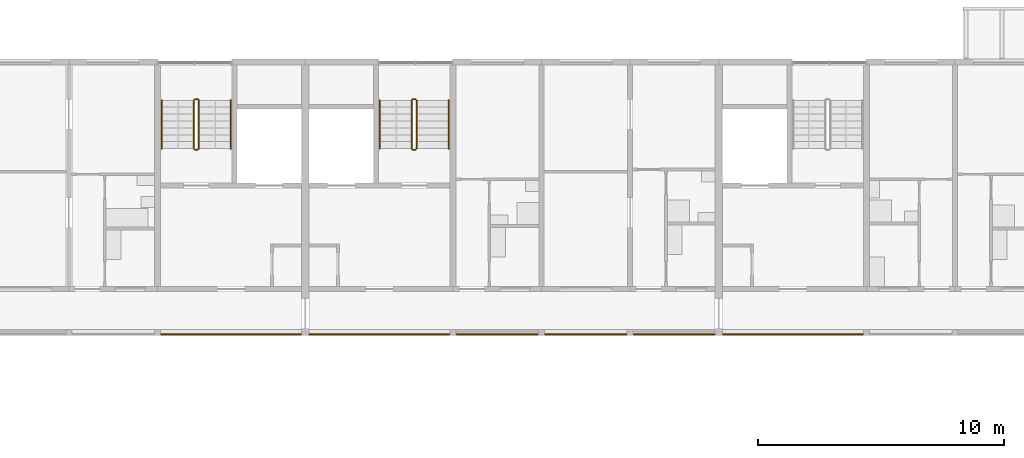
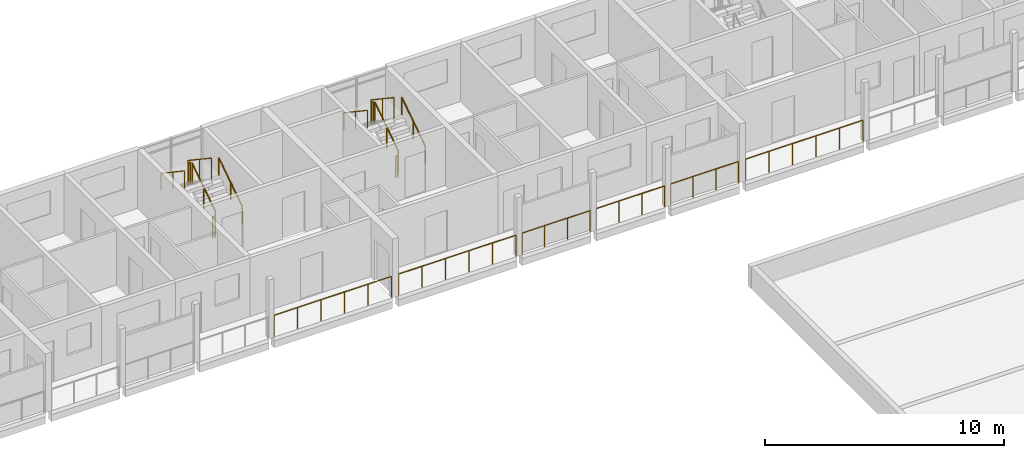
# One storey, part 101 of 115: 18 railings.
"""IFC4 building model written with IfcOpenShell, lengths in metres."""

from ifc_helpers import new_model, si_unit, direction, frame, origin, origin_2d, place, context, subcontext, project, spatial, circle, extrude, material, type_object, element, save


model = new_model("IFC4")

# Units and contexts
model_context = context("Model", 3, precision=1e-05, world=origin(), true_north=direction((0.0, 1.0)))
body_context = subcontext(model_context, "Body", "Model", "MODEL_VIEW")
ifc_project = project(units=[si_unit("LENGTHUNIT", "METRE"), si_unit("AREAUNIT", "SQUARE_METRE"), si_unit("VOLUMEUNIT", "CUBIC_METRE"), si_unit("PLANEANGLEUNIT", "RADIAN"), si_unit("MASSUNIT", "GRAM", prefix="KILO")], contexts=[model_context])

# Site, building, storey
site_placement = place(None, origin())
site = spatial("IfcSite", under=ifc_project, at=site_placement, CompositionType="ELEMENT")
building_placement = place(site_placement, origin())
building = spatial("IfcBuilding", under=site, at=building_placement, Name="Ridgestep Commons", CompositionType="ELEMENT")
storey_placement = place(building_placement, frame((0.0, 0.0, 6.0)))
storey = spatial("IfcBuildingStorey", under=building, at=storey_placement, Name="L02", CompositionType="ELEMENT", Elevation=6.0)

# Railings
ifc_material_1 = material(Name="Structural steel S355JR", Category="steel")
railing_type_1 = type_object("IfcRailingType", Name="Guard 1100", PredefinedType="GUARDRAIL", material=ifc_material_1)
railing_1_placement = place(storey_placement, frame((73.345947265625, 66.050048828125, 0.0)))
element("IfcRailing", 1, at=railing_1_placement, inside=storey, type_object=railing_type_1, Name="Gallery guard B 02.16", PredefinedType="GUARDRAIL", context=body_context, shape_type="SweptSolid", body=[
    extrude(circle(Radius=0.02392578125, at=origin_2d()), frame((0.0, 0.0, 1.076171875), z_axis=(1.0, 0.0, 0.0), x_axis=(0.0, 1.0, 0.0)), (0.0, 0.0, 1.0), 5.68310546875),
    extrude(circle(Radius=0.02099609375, at=origin_2d()), origin(), (0.0, 0.0, 1.0), 1.052001953125),
    extrude(circle(Radius=0.02099609375, at=origin_2d()), frame((1.13671875, 0.0, 0.0)), (0.0, 0.0, 1.0), 1.052001953125),
    extrude(circle(Radius=0.02099609375, at=origin_2d()), frame((2.273193359375, 0.0, 0.0)), (0.0, 0.0, 1.0), 1.052001953125),
    extrude(circle(Radius=0.02099609375, at=origin_2d()), frame((3.409912109375, 0.0, 0.0)), (0.0, 0.0, 1.0), 1.052001953125),
    extrude(circle(Radius=0.02099609375, at=origin_2d()), frame((4.54638671875, 0.0, 0.0)), (0.0, 0.0, 1.0), 1.052001953125),
    extrude(circle(Radius=0.02099609375, at=origin_2d()), frame((5.68310546875, 0.0, 0.0)), (0.0, 0.0, 1.0), 1.052001953125),
])
railing_2_placement = place(storey_placement, frame((79.37109375, 66.050048828125, 0.0)))
element("IfcRailing", 2, at=railing_2_placement, inside=storey, type_object=railing_type_1, Name="Gallery guard B 02.17", PredefinedType="GUARDRAIL", context=body_context, shape_type="SweptSolid", body=[
    extrude(circle(Radius=0.02392578125, at=origin_2d()), frame((0.0, 0.0, 1.076171875), z_axis=(1.0, 0.0, 0.0), x_axis=(0.0, 1.0, 0.0)), (0.0, 0.0, 1.0), 5.682861328125),
    extrude(circle(Radius=0.02099609375, at=origin_2d()), origin(), (0.0, 0.0, 1.0), 1.052001953125),
    extrude(circle(Radius=0.02099609375, at=origin_2d()), frame((1.136474609375, 0.0, 0.0)), (0.0, 0.0, 1.0), 1.052001953125),
    extrude(circle(Radius=0.02099609375, at=origin_2d()), frame((2.273193359375, 0.0, 0.0)), (0.0, 0.0, 1.0), 1.052001953125),
    extrude(circle(Radius=0.02099609375, at=origin_2d()), frame((3.40966796875, 0.0, 0.0)), (0.0, 0.0, 1.0), 1.052001953125),
    extrude(circle(Radius=0.02099609375, at=origin_2d()), frame((4.54638671875, 0.0, 0.0)), (0.0, 0.0, 1.0), 1.052001953125),
    extrude(circle(Radius=0.02099609375, at=origin_2d()), frame((5.682861328125, 0.0, 0.0)), (0.0, 0.0, 1.0), 1.052001953125),
])
railing_3_placement = place(storey_placement, frame((85.345947265625, 66.050048828125, 0.0)))
element("IfcRailing", 3, at=railing_3_placement, inside=storey, type_object=railing_type_1, Name="Gallery guard B 02.18", PredefinedType="GUARDRAIL", context=body_context, shape_type="SweptSolid", body=[
    extrude(circle(Radius=0.02392578125, at=origin_2d()), frame((0.0, 0.0, 1.076171875), z_axis=(1.0, 0.0, 0.0), x_axis=(0.0, 1.0, 0.0)), (0.0, 0.0, 1.0), 3.30810546875),
    extrude(circle(Radius=0.02099609375, at=origin_2d()), origin(), (0.0, 0.0, 1.0), 1.052001953125),
    extrude(circle(Radius=0.02099609375, at=origin_2d()), frame((1.102783203125, 0.0, 0.0)), (0.0, 0.0, 1.0), 1.052001953125),
    extrude(circle(Radius=0.02099609375, at=origin_2d()), frame((2.205322265625, 0.0, 0.0)), (0.0, 0.0, 1.0), 1.052001953125),
    extrude(circle(Radius=0.02099609375, at=origin_2d()), frame((3.30810546875, 0.0, 0.0)), (0.0, 0.0, 1.0), 1.052001953125),
])
railing_4_placement = place(storey_placement, frame((88.946044921875, 66.050048828125, 0.0)))
element("IfcRailing", 4, at=railing_4_placement, inside=storey, type_object=railing_type_1, Name="Gallery guard B 02.19", PredefinedType="GUARDRAIL", context=body_context, shape_type="SweptSolid", body=[
    extrude(circle(Radius=0.02392578125, at=origin_2d()), frame((0.0, 0.0, 1.076171875), z_axis=(1.0, 0.0, 0.0), x_axis=(0.0, 1.0, 0.0)), (0.0, 0.0, 1.0), 3.307861328125),
    extrude(circle(Radius=0.02099609375, at=origin_2d()), origin(), (0.0, 0.0, 1.0), 1.052001953125),
    extrude(circle(Radius=0.02099609375, at=origin_2d()), frame((1.1025390625, 0.0, 0.0)), (0.0, 0.0, 1.0), 1.052001953125),
    extrude(circle(Radius=0.02099609375, at=origin_2d()), frame((2.205322265625, 0.0, 0.0)), (0.0, 0.0, 1.0), 1.052001953125),
    extrude(circle(Radius=0.02099609375, at=origin_2d()), frame((3.307861328125, 0.0, 0.0)), (0.0, 0.0, 1.0), 1.052001953125),
])
railing_5_placement = place(storey_placement, frame((92.5458984375, 66.050048828125, 0.0)))
element("IfcRailing", 5, at=railing_5_placement, inside=storey, type_object=railing_type_1, Name="Gallery guard B 02.20", PredefinedType="GUARDRAIL", context=body_context, shape_type="SweptSolid", body=[
    extrude(circle(Radius=0.02392578125, at=origin_2d()), frame((0.0, 0.0, 1.076171875), z_axis=(1.0, 0.0, 0.0), x_axis=(0.0, 1.0, 0.0)), (0.0, 0.0, 1.0), 3.283203125),
    extrude(circle(Radius=0.02099609375, at=origin_2d()), origin(), (0.0, 0.0, 1.0), 1.052001953125),
    extrude(circle(Radius=0.02099609375, at=origin_2d()), frame((1.094482421875, 0.0, 0.0)), (0.0, 0.0, 1.0), 1.052001953125),
    extrude(circle(Radius=0.02099609375, at=origin_2d()), frame((2.188720703125, 0.0, 0.0)), (0.0, 0.0, 1.0), 1.052001953125),
    extrude(circle(Radius=0.02099609375, at=origin_2d()), frame((3.283203125, 0.0, 0.0)), (0.0, 0.0, 1.0), 1.052001953125),
])
railing_6_placement = place(storey_placement, frame((96.1708984375, 66.050048828125, 0.0)))
element("IfcRailing", 6, at=railing_6_placement, inside=storey, type_object=railing_type_1, Name="Gallery guard B 02.21", PredefinedType="GUARDRAIL", context=body_context, shape_type="SweptSolid", body=[
    extrude(circle(Radius=0.02392578125, at=origin_2d()), frame((0.0, 0.0, 1.076171875), z_axis=(1.0, 0.0, 0.0), x_axis=(0.0, 1.0, 0.0)), (0.0, 0.0, 1.0), 5.68310546875),
    extrude(circle(Radius=0.02099609375, at=origin_2d()), origin(), (0.0, 0.0, 1.0), 1.052001953125),
    extrude(circle(Radius=0.02099609375, at=origin_2d()), frame((1.13671875, 0.0, 0.0)), (0.0, 0.0, 1.0), 1.052001953125),
    extrude(circle(Radius=0.02099609375, at=origin_2d()), frame((2.273193359375, 0.0, 0.0)), (0.0, 0.0, 1.0), 1.052001953125),
    extrude(circle(Radius=0.02099609375, at=origin_2d()), frame((3.409912109375, 0.0, 0.0)), (0.0, 0.0, 1.0), 1.052001953125),
    extrude(circle(Radius=0.02099609375, at=origin_2d()), frame((4.54638671875, 0.0, 0.0)), (0.0, 0.0, 1.0), 1.052001953125),
    extrude(circle(Radius=0.02099609375, at=origin_2d()), frame((5.68310546875, 0.0, 0.0)), (0.0, 0.0, 1.0), 1.052001953125),
])
ifc_material_2 = material(Name="Structural steel S355JR", Category="steel")
railing_type_2 = type_object("IfcRailingType", Name="Stair guard 1100", PredefinedType="GUARDRAIL", material=ifc_material_2)
railing_7_placement = place(storey_placement, frame((74.875, 73.60009765625, 0.1875)))
element("IfcRailing", 7, at=railing_7_placement, inside=storey, type_object=railing_type_2, Name="L02 B4C stair guard 1", PredefinedType="GUARDRAIL", context=body_context, shape_type="SweptSolid", body=[
    extrude(circle(Radius=0.02392578125, at=origin_2d()), frame((0.0, 0.0, 1.076171875), z_axis=(0.0, 0.830902050051, 0.556418712142), x_axis=(-1.0, 0.0, 0.0)), (0.0, 0.0, 1.0), 2.35888671875),
    extrude(circle(Radius=0.02099609375, at=origin_2d()), origin(), (0.0, 0.0, 1.0), 1.052001953125),
    extrude(circle(Radius=0.02099609375, at=origin_2d()), frame((0.0, 0.97998046875, 0.65625)), (0.0, 0.0, 1.0), 1.052001953125),
    extrude(circle(Radius=0.02099609375, at=origin_2d()), frame((0.0, 1.9599609375, 1.3125)), (0.0, 0.0, 1.0), 1.052001953125),
])
railing_8_placement = place(storey_placement, frame((74.824951171875, 75.610107421875, 1.5)))
element("IfcRailing", 8, at=railing_8_placement, inside=storey, type_object=railing_type_2, Name="L02 B4C stair guard 2", PredefinedType="GUARDRAIL", context=body_context, shape_type="SweptSolid", body=[
    extrude(circle(Radius=0.02392578125, at=origin_2d()), frame((0.0, 0.0, 1.076171875), z_axis=(-1.0, 0.0, 0.0), x_axis=(0.0, -1.0, 0.0)), (0.0, 0.0, 1.0), 0.099853515625),
    extrude(circle(Radius=0.02099609375, at=origin_2d()), origin(), (0.0, 0.0, 1.0), 1.052001953125),
    extrude(circle(Radius=0.02099609375, at=origin_2d()), frame((-0.099853515625, 0.0, 0.0)), (0.0, 0.0, 1.0), 1.052001953125),
])
railing_9_placement = place(storey_placement, frame((74.675048828125, 75.56005859375, 1.6875)))
element("IfcRailing", 9, at=railing_9_placement, inside=storey, type_object=railing_type_2, Name="L02 B4C stair guard 3", PredefinedType="GUARDRAIL", context=body_context, shape_type="SweptSolid", body=[
    extrude(circle(Radius=0.02392578125, at=origin_2d()), frame((0.0, 0.0, 1.076171875), z_axis=(0.0, -0.830902050051, 0.556418712142), x_axis=(1.0, 0.0, 0.0)), (0.0, 0.0, 1.0), 2.35888671875),
    extrude(circle(Radius=0.02099609375, at=origin_2d()), origin(), (0.0, 0.0, 1.0), 1.052001953125),
    extrude(circle(Radius=0.02099609375, at=origin_2d()), frame((0.0, -0.97998046875, 0.65625)), (0.0, 0.0, 1.0), 1.052001953125),
    extrude(circle(Radius=0.02099609375, at=origin_2d()), frame((0.0, -1.9599609375, 1.3125)), (0.0, 0.0, 1.0), 1.052001953125),
])
railing_10_placement = place(storey_placement, frame((74.824951171875, 73.550048828125, 0.0)))
element("IfcRailing", 10, at=railing_10_placement, inside=storey, type_object=railing_type_2, Name="L02 B4C stair guard 4", PredefinedType="GUARDRAIL", context=body_context, shape_type="SweptSolid", body=[
    extrude(circle(Radius=0.02392578125, at=origin_2d()), frame((0.0, 0.0, 1.076171875), z_axis=(-1.0, 0.0, 0.0), x_axis=(0.0, -1.0, 0.0)), (0.0, 0.0, 1.0), 0.099853515625),
    extrude(circle(Radius=0.02099609375, at=origin_2d()), origin(), (0.0, 0.0, 1.0), 1.052001953125),
    extrude(circle(Radius=0.02099609375, at=origin_2d()), frame((-0.099853515625, 0.0, 0.0)), (0.0, 0.0, 1.0), 1.052001953125),
])
railing_11_placement = place(storey_placement, frame((83.72509765625, 73.60009765625, 0.1875)))
element("IfcRailing", 11, at=railing_11_placement, inside=storey, type_object=railing_type_2, Name="L02 B5C stair guard 1", PredefinedType="GUARDRAIL", context=body_context, shape_type="SweptSolid", body=[
    extrude(circle(Radius=0.02392578125, at=origin_2d()), frame((0.0, 0.0, 1.076171875), z_axis=(0.0, 0.830902050051, 0.556418712142), x_axis=(-1.0, 0.0, 0.0)), (0.0, 0.0, 1.0), 2.35888671875),
    extrude(circle(Radius=0.02099609375, at=origin_2d()), origin(), (0.0, 0.0, 1.0), 1.052001953125),
    extrude(circle(Radius=0.02099609375, at=origin_2d()), frame((0.0, 0.97998046875, 0.65625)), (0.0, 0.0, 1.0), 1.052001953125),
    extrude(circle(Radius=0.02099609375, at=origin_2d()), frame((0.0, 1.9599609375, 1.3125)), (0.0, 0.0, 1.0), 1.052001953125),
])
railing_12_placement = place(storey_placement, frame((83.675048828125, 75.610107421875, 1.5)))
element("IfcRailing", 12, at=railing_12_placement, inside=storey, type_object=railing_type_2, Name="L02 B5C stair guard 2", PredefinedType="GUARDRAIL", context=body_context, shape_type="SweptSolid", body=[
    extrude(circle(Radius=0.02392578125, at=origin_2d()), frame((0.0, 0.0, 1.076171875), z_axis=(-1.0, 0.0, 0.0), x_axis=(0.0, -1.0, 0.0)), (0.0, 0.0, 1.0), 0.10009765625),
    extrude(circle(Radius=0.02099609375, at=origin_2d()), origin(), (0.0, 0.0, 1.0), 1.052001953125),
    extrude(circle(Radius=0.02099609375, at=origin_2d()), frame((-0.10009765625, 0.0, 0.0)), (0.0, 0.0, 1.0), 1.052001953125),
])
railing_13_placement = place(storey_placement, frame((83.52490234375, 75.56005859375, 1.6875)))
element("IfcRailing", 13, at=railing_13_placement, inside=storey, type_object=railing_type_2, Name="L02 B5C stair guard 3", PredefinedType="GUARDRAIL", context=body_context, shape_type="SweptSolid", body=[
    extrude(circle(Radius=0.02392578125, at=origin_2d()), frame((0.0, 0.0, 1.076171875), z_axis=(0.0, -0.830902050051, 0.556418712142), x_axis=(1.0, 0.0, 0.0)), (0.0, 0.0, 1.0), 2.35888671875),
    extrude(circle(Radius=0.02099609375, at=origin_2d()), origin(), (0.0, 0.0, 1.0), 1.052001953125),
    extrude(circle(Radius=0.02099609375, at=origin_2d()), frame((0.0, -0.97998046875, 0.65625)), (0.0, 0.0, 1.0), 1.052001953125),
    extrude(circle(Radius=0.02099609375, at=origin_2d()), frame((0.0, -1.9599609375, 1.3125)), (0.0, 0.0, 1.0), 1.052001953125),
])
railing_14_placement = place(storey_placement, frame((83.675048828125, 73.550048828125, 0.0)))
element("IfcRailing", 14, at=railing_14_placement, inside=storey, type_object=railing_type_2, Name="L02 B5C stair guard 4", PredefinedType="GUARDRAIL", context=body_context, shape_type="SweptSolid", body=[
    extrude(circle(Radius=0.02392578125, at=origin_2d()), frame((0.0, 0.0, 1.076171875), z_axis=(-1.0, 0.0, 0.0), x_axis=(0.0, -1.0, 0.0)), (0.0, 0.0, 1.0), 0.10009765625),
    extrude(circle(Radius=0.02099609375, at=origin_2d()), origin(), (0.0, 0.0, 1.0), 1.052001953125),
    extrude(circle(Radius=0.02099609375, at=origin_2d()), frame((-0.10009765625, 0.0, 0.0)), (0.0, 0.0, 1.0), 1.052001953125),
])
ifc_material_3 = material(Name="Structural steel S355JR", Category="steel")
railing_type_3 = type_object("IfcRailingType", Name="Stair handrail 900", PredefinedType="HANDRAIL", material=ifc_material_3)
railing_15_placement = place(storey_placement, frame((76.175048828125, 73.60009765625, 0.1875)))
element("IfcRailing", 15, at=railing_15_placement, inside=storey, type_object=railing_type_3, Name="L02 B4C stair handrail 1", PredefinedType="HANDRAIL", context=body_context, shape_type="SweptSolid", body=[
    extrude(circle(Radius=0.02392578125, at=origin_2d()), frame((0.0, 0.0, 0.8759765625), z_axis=(0.0, 0.830902050051, 0.556418712142), x_axis=(-1.0, 0.0, 0.0)), (0.0, 0.0, 1.0), 2.35888671875),
    extrude(circle(Radius=0.02099609375, at=origin_2d()), origin(), (0.0, 0.0, 1.0), 0.851806640625),
    extrude(circle(Radius=0.02099609375, at=origin_2d()), frame((0.0, 0.97998046875, 0.65625)), (0.0, 0.0, 1.0), 0.851806640625),
    extrude(circle(Radius=0.02099609375, at=origin_2d()), frame((0.0, 1.9599609375, 1.3125)), (0.0, 0.0, 1.0), 0.851806640625),
])
railing_16_placement = place(storey_placement, frame((73.375, 75.56005859375, 1.6875)))
element("IfcRailing", 16, at=railing_16_placement, inside=storey, type_object=railing_type_3, Name="L02 B4C stair handrail 2", PredefinedType="HANDRAIL", context=body_context, shape_type="SweptSolid", body=[
    extrude(circle(Radius=0.02392578125, at=origin_2d()), frame((0.0, 0.0, 0.8759765625), z_axis=(0.0, -0.830902050051, 0.556418712142), x_axis=(1.0, 0.0, 0.0)), (0.0, 0.0, 1.0), 2.35888671875),
    extrude(circle(Radius=0.02099609375, at=origin_2d()), origin(), (0.0, 0.0, 1.0), 0.851806640625),
    extrude(circle(Radius=0.02099609375, at=origin_2d()), frame((0.0, -0.97998046875, 0.65625)), (0.0, 0.0, 1.0), 0.851806640625),
    extrude(circle(Radius=0.02099609375, at=origin_2d()), frame((0.0, -1.9599609375, 1.3125)), (0.0, 0.0, 1.0), 0.851806640625),
])
railing_17_placement = place(storey_placement, frame((85.02490234375, 73.60009765625, 0.1875)))
element("IfcRailing", 17, at=railing_17_placement, inside=storey, type_object=railing_type_3, Name="L02 B5C stair handrail 1", PredefinedType="HANDRAIL", context=body_context, shape_type="SweptSolid", body=[
    extrude(circle(Radius=0.02392578125, at=origin_2d()), frame((0.0, 0.0, 0.8759765625), z_axis=(0.0, 0.830902050051, 0.556418712142), x_axis=(-1.0, 0.0, 0.0)), (0.0, 0.0, 1.0), 2.35888671875),
    extrude(circle(Radius=0.02099609375, at=origin_2d()), origin(), (0.0, 0.0, 1.0), 0.851806640625),
    extrude(circle(Radius=0.02099609375, at=origin_2d()), frame((0.0, 0.97998046875, 0.65625)), (0.0, 0.0, 1.0), 0.851806640625),
    extrude(circle(Radius=0.02099609375, at=origin_2d()), frame((0.0, 1.9599609375, 1.3125)), (0.0, 0.0, 1.0), 0.851806640625),
])
railing_18_placement = place(storey_placement, frame((82.22509765625, 75.56005859375, 1.6875)))
element("IfcRailing", 18, at=railing_18_placement, inside=storey, type_object=railing_type_3, Name="L02 B5C stair handrail 2", PredefinedType="HANDRAIL", context=body_context, shape_type="SweptSolid", body=[
    extrude(circle(Radius=0.02392578125, at=origin_2d()), frame((0.0, 0.0, 0.8759765625), z_axis=(0.0, -0.830902050051, 0.556418712142), x_axis=(1.0, 0.0, 0.0)), (0.0, 0.0, 1.0), 2.35888671875),
    extrude(circle(Radius=0.02099609375, at=origin_2d()), origin(), (0.0, 0.0, 1.0), 0.851806640625),
    extrude(circle(Radius=0.02099609375, at=origin_2d()), frame((0.0, -0.97998046875, 0.65625)), (0.0, 0.0, 1.0), 0.851806640625),
    extrude(circle(Radius=0.02099609375, at=origin_2d()), frame((0.0, -1.9599609375, 1.3125)), (0.0, 0.0, 1.0), 0.851806640625),
])

save(model, "model.ifc")
